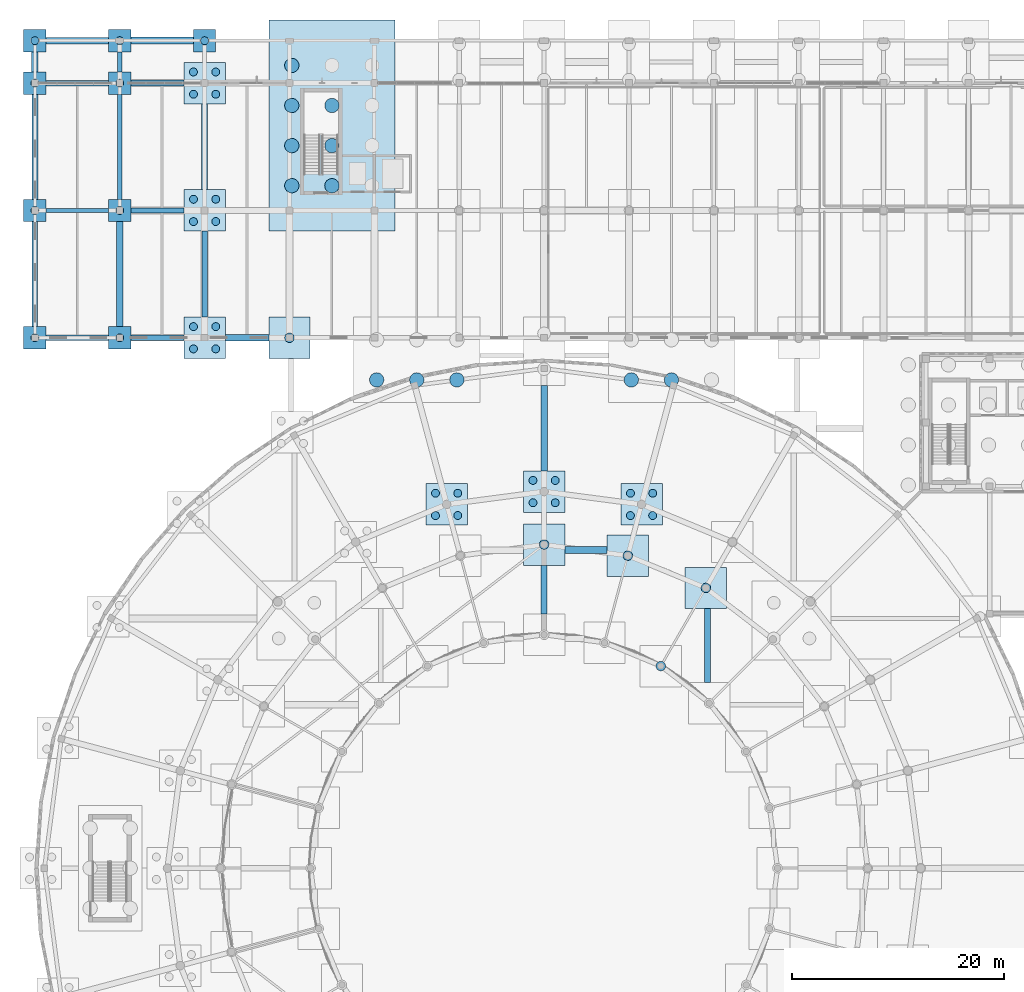
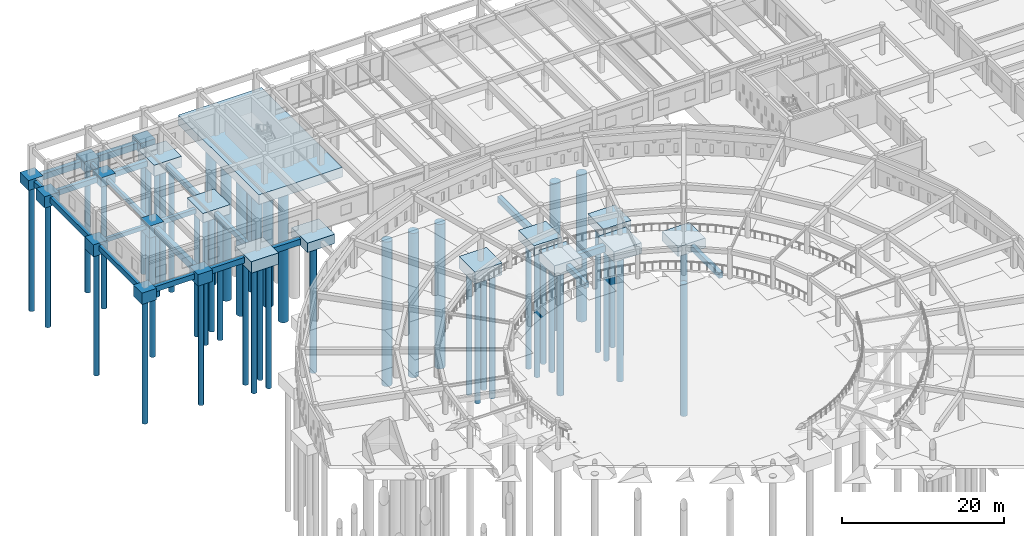
# One storey, part 5 of 84: 50 piles, 41 footings.
"""IFC4 building model written with IfcOpenShell, lengths in metres."""

from ifc_helpers import new_model, si_unit, direction, frame, origin, origin_2d, place, context, subcontext, project, spatial, rectangle, circle, extrude, material, material_profile, profile_set, type_object, element, save


model = new_model("IFC4")

# Units and contexts
model_context = context("Model", 3, precision=1e-05, world=origin(), true_north=direction((0.0, 1.0)))
body_context = subcontext(model_context, "Body", "Model", "MODEL_VIEW")
ifc_project = project(units=[si_unit("LENGTHUNIT", "METRE"), si_unit("AREAUNIT", "SQUARE_METRE"), si_unit("VOLUMEUNIT", "CUBIC_METRE"), si_unit("PLANEANGLEUNIT", "RADIAN"), si_unit("MASSUNIT", "GRAM", prefix="KILO")], contexts=[model_context])

# Site, building, storey
site_placement = place(None, origin())
site = spatial("IfcSite", under=ifc_project, at=site_placement, CompositionType="ELEMENT")
building_placement = place(site_placement, origin())
building = spatial("IfcBuilding", under=site, at=building_placement, Name="Larkveld Mobility Hub", CompositionType="ELEMENT")
storey_placement = place(building_placement, origin())
storey = spatial("IfcBuildingStorey", under=building, at=storey_placement, Name="L00", CompositionType="ELEMENT", Elevation=0.0)

# Footings
ifc_material = material(Name="Concrete C35/45", Category="concrete")
ifc_material_profile_1 = material_profile(ifc_material, rectangle(XDim=0.39990234375, YDim=0.60009765625, at=origin_2d()), Name="RC BM 400x600")
ifc_profile_set_1 = profile_set([ifc_material_profile_1], Name="Concrete C35/45")
footing_type_1 = type_object("IfcFootingType", Name="FT-FB01", PredefinedType="FOOTING_BEAM", material=ifc_profile_set_1)
footing_1_placement = place(storey_placement, frame((1.050048828125, 110.0, -0.64990234375), z_axis=(1.0, 0.0, 0.0), x_axis=(0.0, 1.0, 0.0)))
element("IfcFooting", 1, at=footing_1_placement, inside=storey, type_object=footing_type_1, Name="Ground Tie Beam GB-067", PredefinedType="FOOTING_BEAM", context=body_context, shape_type="SweptSolid", body=[
    extrude(rectangle(XDim=0.39990234375, YDim=0.60009765625, at=origin_2d()), origin(), (0.0, 0.0, 1.0), 5.89990234375),
])
footing_2_placement = place(storey_placement, frame((8.0, 111.050048828125, -0.64990234375), z_axis=(0.0, 1.0, 0.0), x_axis=(-1.0, 0.0, 0.0)))
element("IfcFooting", 2, at=footing_2_placement, inside=storey, type_object=footing_type_1, Name="Ground Tie Beam GB-103", PredefinedType="FOOTING_BEAM", context=body_context, shape_type="SweptSolid", body=[
    extrude(rectangle(XDim=0.39990234375, YDim=0.60009765625, at=origin_2d()), origin(), (0.0, 0.0, 1.0), 9.89990234375),
])
ifc_material_profile_2 = material_profile(ifc_material, rectangle(XDim=0.449951171875, YDim=0.699951171875, at=origin_2d()), Name="RC BM 450x700")
ifc_profile_set_2 = profile_set([ifc_material_profile_2], Name="Concrete C35/45")
footing_type_2 = type_object("IfcFootingType", Name="FT-FB02", PredefinedType="FOOTING_BEAM", material=ifc_profile_set_2)
footing_3_placement = place(storey_placement, frame((9.050048828125, 110.0, -0.699951171875), z_axis=(1.0, 0.0, 0.0), x_axis=(0.0, 1.0, 0.0)))
element("IfcFooting", 3, at=footing_3_placement, inside=storey, type_object=footing_type_2, Name="Ground Tie Beam GB-068", PredefinedType="FOOTING_BEAM", context=body_context, shape_type="SweptSolid", body=[
    extrude(rectangle(XDim=0.449951171875, YDim=0.699951171875, at=origin_2d()), origin(), (0.0, 0.0, 1.0), 5.0),
])
footing_4_placement = place(storey_placement, frame((8.0, 123.050048828125, -0.699951171875), z_axis=(0.0, 1.0, 0.0), x_axis=(-1.0, 0.0, 0.0)))
element("IfcFooting", 4, at=footing_4_placement, inside=storey, type_object=footing_type_2, Name="Ground Tie Beam GB-104", PredefinedType="FOOTING_BEAM", context=body_context, shape_type="SweptSolid", body=[
    extrude(rectangle(XDim=0.449951171875, YDim=0.699951171875, at=origin_2d()), origin(), (0.0, 0.0, 1.0), 1.89990234375),
])
ifc_material_profile_3 = material_profile(ifc_material, rectangle(XDim=0.5, YDim=0.800048828125, at=origin_2d()), Name="RC BM 500x800")
ifc_profile_set_3 = profile_set([ifc_material_profile_3], Name="Concrete C35/45")
footing_type_3 = type_object("IfcFootingType", Name="FT-FB03", PredefinedType="FOOTING_BEAM", material=ifc_profile_set_3)
for number, where, z_axis, x_axis, name in (
    (5, (1.050048828125, 98.0, -0.75), (1.0, 0.0, 0.0), (0.0, 1.0, 0.0), "Ground Tie Beam GB-057"),
    (6, (1.050048828125, 122.0, -0.75), (1.0, 0.0, 0.0), (0.0, 1.0, 0.0), "Ground Tie Beam GB-081"),
):
    element("IfcFooting", number, at=place(storey_placement, frame(where, z_axis=z_axis, x_axis=x_axis)), inside=storey, type_object=footing_type_3, Name=name, PredefinedType="FOOTING_BEAM", context=body_context, shape_type="SweptSolid", body=[
        extrude(rectangle(XDim=0.5, YDim=0.800048828125, at=origin_2d()), origin(), (0.0, 0.0, 1.0), 5.89990234375),
    ])
footing_5_placement = place(storey_placement, frame((0.0, 99.050048828125, -0.75), z_axis=(0.0, 1.0, 0.0), x_axis=(-1.0, 0.0, 0.0)))
element("IfcFooting", 7, at=footing_5_placement, inside=storey, type_object=footing_type_3, Name="Ground Tie Beam GB-099", PredefinedType="FOOTING_BEAM", context=body_context, shape_type="SweptSolid", body=[
    extrude(rectangle(XDim=0.5, YDim=0.800048828125, at=origin_2d()), origin(), (0.0, 0.0, 1.0), 9.89990234375),
])
footing_6_placement = place(storey_placement, frame((16.0, 99.949951171875, -0.75), z_axis=(0.0, 1.0, 0.0), x_axis=(-1.0, 0.0, 0.0)))
element("IfcFooting", 8, at=footing_6_placement, inside=storey, type_object=footing_type_3, Name="Ground Tie Beam GB-105", PredefinedType="FOOTING_BEAM", context=body_context, shape_type="SweptSolid", body=[
    extrude(rectangle(XDim=0.5, YDim=0.800048828125, at=origin_2d()), origin(), (0.0, 0.0, 1.0), 8.10009765625),
])
ifc_material_profile_4 = material_profile(ifc_material, rectangle(XDim=0.550048828125, YDim=0.85009765625, at=origin_2d()), Name="RC BM 550x850")
ifc_profile_set_4 = profile_set([ifc_material_profile_4], Name="Concrete C35/45")
footing_type_4 = type_object("IfcFootingType", Name="FT-FB04", PredefinedType="FOOTING_BEAM", material=ifc_profile_set_4)
for number, where, z_axis, x_axis, name in (
    (9, (9.050048828125, 98.0, -0.77490234375), (1.0, 0.0, 0.0), (0.0, 1.0, 0.0), "Ground Tie Beam GB-058"),
    (10, (9.050048828125, 122.0, -0.77490234375), (1.0, 0.0, 0.0), (0.0, 1.0, 0.0), "Ground Tie Beam GB-082"),
):
    element("IfcFooting", number, at=place(storey_placement, frame(where, z_axis=z_axis, x_axis=x_axis)), inside=storey, type_object=footing_type_4, Name=name, PredefinedType="FOOTING_BEAM", context=body_context, shape_type="SweptSolid", body=[
        extrude(rectangle(XDim=0.550048828125, YDim=0.85009765625, at=origin_2d()), origin(), (0.0, 0.0, 1.0), 5.0),
    ])
footing_7_placement = place(storey_placement, frame((0.0, 111.050048828125, -0.77490234375), z_axis=(0.0, 1.0, 0.0), x_axis=(-1.0, 0.0, 0.0)))
element("IfcFooting", 11, at=footing_7_placement, inside=storey, type_object=footing_type_4, Name="Ground Tie Beam GB-100", PredefinedType="FOOTING_BEAM", context=body_context, shape_type="SweptSolid", body=[
    extrude(rectangle(XDim=0.550048828125, YDim=0.85009765625, at=origin_2d()), origin(), (0.0, 0.0, 1.0), 9.89990234375),
])
footing_8_placement = place(storey_placement, frame((16.0, 111.949951171875, -0.77490234375), z_axis=(0.0, 1.0, 0.0), x_axis=(-1.0, 0.0, 0.0)))
element("IfcFooting", 12, at=footing_8_placement, inside=storey, type_object=footing_type_4, Name="Ground Tie Beam GB-106", PredefinedType="FOOTING_BEAM", context=body_context, shape_type="SweptSolid", body=[
    extrude(rectangle(XDim=0.550048828125, YDim=0.85009765625, at=origin_2d()), origin(), (0.0, 0.0, 1.0), 8.10009765625),
])
footing_9_placement = place(storey_placement, frame((48.0, 71.949951171875, -0.77490234375), z_axis=(0.0, 1.0, 0.0), x_axis=(-1.0, 0.0, 0.0)))
element("IfcFooting", 13, at=footing_9_placement, inside=storey, type_object=footing_type_4, Name="Ground Tie Beam GB-118", PredefinedType="FOOTING_BEAM", context=body_context, shape_type="SweptSolid", body=[
    extrude(rectangle(XDim=0.550048828125, YDim=0.85009765625, at=origin_2d()), origin(), (0.0, 0.0, 1.0), 4.60009765625),
])
footing_10_placement = place(storey_placement, frame((63.403076171875, 65.506103515625, -0.77490234375), z_axis=(0.0, 1.0, 0.0), x_axis=(-1.0, 0.0, 0.0)))
element("IfcFooting", 14, at=footing_10_placement, inside=storey, type_object=footing_type_4, Name="Ground Tie Beam GB-124", PredefinedType="FOOTING_BEAM", context=body_context, shape_type="SweptSolid", body=[
    extrude(rectangle(XDim=0.550048828125, YDim=0.85009765625, at=origin_2d()), origin(), (0.0, 0.0, 1.0), 6.9580078125),
])
ifc_material_profile_5 = material_profile(ifc_material, rectangle(XDim=0.60009765625, YDim=0.89990234375, at=origin_2d()), Name="RC BM 600x900")
ifc_profile_set_5 = profile_set([ifc_material_profile_5], Name="Concrete C35/45")
footing_type_5 = type_object("IfcFootingType", Name="FT-FB05", PredefinedType="FOOTING_BEAM", material=ifc_profile_set_5)
footing_11_placement = place(storey_placement, frame((17.949951171875, 98.0, -0.800048828125), z_axis=(1.0, 0.0, 0.0), x_axis=(0.0, 1.0, 0.0)))
element("IfcFooting", 15, at=footing_11_placement, inside=storey, type_object=footing_type_5, Name="Ground Tie Beam GB-059", PredefinedType="FOOTING_BEAM", context=body_context, shape_type="SweptSolid", body=[
    extrude(rectangle(XDim=0.60009765625, YDim=0.89990234375, at=origin_2d()), origin(), (0.0, 0.0, 1.0), 4.10009765625),
])
footing_12_placement = place(storey_placement, frame((1.050048828125, 126.0, -0.800048828125), z_axis=(1.0, 0.0, 0.0), x_axis=(0.0, 1.0, 0.0)))
element("IfcFooting", 16, at=footing_12_placement, inside=storey, type_object=footing_type_5, Name="Ground Tie Beam GB-089", PredefinedType="FOOTING_BEAM", context=body_context, shape_type="SweptSolid", body=[
    extrude(rectangle(XDim=0.60009765625, YDim=0.89990234375, at=origin_2d()), origin(), (0.0, 0.0, 1.0), 5.89990234375),
])
footing_13_placement = place(storey_placement, frame((0.0, 123.050048828125, -0.800048828125), z_axis=(0.0, 1.0, 0.0), x_axis=(-1.0, 0.0, 0.0)))
element("IfcFooting", 17, at=footing_13_placement, inside=storey, type_object=footing_type_5, Name="Ground Tie Beam GB-101", PredefinedType="FOOTING_BEAM", context=body_context, shape_type="SweptSolid", body=[
    extrude(rectangle(XDim=0.60009765625, YDim=0.89990234375, at=origin_2d()), origin(), (0.0, 0.0, 1.0), 1.89990234375),
])
footing_14_placement = place(storey_placement, frame((48.0, 85.449951171875, -0.800048828125), z_axis=(0.0, 1.0, 0.0), x_axis=(-1.0, 0.0, 0.0)))
element("IfcFooting", 18, at=footing_14_placement, inside=storey, type_object=footing_type_5, Name="Ground Tie Beam GB-119", PredefinedType="FOOTING_BEAM", context=body_context, shape_type="SweptSolid", body=[
    extrude(rectangle(XDim=0.60009765625, YDim=0.89990234375, at=origin_2d()), origin(), (0.0, 0.0, 1.0), 8.050048828125),
])
ifc_material_profile_6 = material_profile(ifc_material, rectangle(XDim=0.64990234375, YDim=1.0, at=origin_2d()), Name="RC BM 650x1000")
ifc_profile_set_6 = profile_set([ifc_material_profile_6], Name="Concrete C35/45")
footing_type_6 = type_object("IfcFootingType", Name="FT-FB06", PredefinedType="FOOTING_BEAM", material=ifc_profile_set_6)
footing_15_placement = place(storey_placement, frame((49.949951171875, 77.98095703125, -0.85009765625), z_axis=(1.0, 0.0, 0.0), x_axis=(0.0, 1.0, 0.0)))
element("IfcFooting", 19, at=footing_15_placement, inside=storey, type_object=footing_type_6, Name="Ground Tie Beam GB-048", PredefinedType="FOOTING_BEAM", context=body_context, shape_type="SweptSolid", body=[
    extrude(rectangle(XDim=0.64990234375, YDim=1.0, at=origin_2d()), origin(), (0.0, 0.0, 1.0), 3.994140625),
])
footing_16_placement = place(storey_placement, frame((9.050048828125, 126.0, -0.85009765625), z_axis=(1.0, 0.0, 0.0), x_axis=(0.0, 1.0, 0.0)))
element("IfcFooting", 20, at=footing_16_placement, inside=storey, type_object=footing_type_6, Name="Ground Tie Beam GB-090", PredefinedType="FOOTING_BEAM", context=body_context, shape_type="SweptSolid", body=[
    extrude(rectangle(XDim=0.64990234375, YDim=1.0, at=origin_2d()), origin(), (0.0, 0.0, 1.0), 5.89990234375),
])
footing_17_placement = place(storey_placement, frame((8.0, 99.050048828125, -0.85009765625), z_axis=(0.0, 1.0, 0.0), x_axis=(-1.0, 0.0, 0.0)))
element("IfcFooting", 21, at=footing_17_placement, inside=storey, type_object=footing_type_6, Name="Ground Tie Beam GB-102", PredefinedType="FOOTING_BEAM", context=body_context, shape_type="SweptSolid", body=[
    extrude(rectangle(XDim=0.64990234375, YDim=1.0, at=origin_2d()), origin(), (0.0, 0.0, 1.0), 9.89990234375),
])
footing_type_7 = type_object("IfcFootingType", Name="FT-PC01", PredefinedType="PILE_CAP", material=ifc_material)
for number, where, z_axis, x_axis, name in (
    (22, (24.0, 98.0, -1.39990234375), (0.0, 0.0, 1.0), (1.0, 0.0, 0.0), "Pile Cap PC-161"),
    (23, (16.0, 110.0, -1.39990234375), (0.0, 0.0, 1.0), (1.0, 0.0, 0.0), "Pile Cap PC-177"),
):
    element("IfcFooting", number, at=place(storey_placement, frame(where, z_axis=z_axis, x_axis=x_axis)), inside=storey, type_object=footing_type_7, Name=name, PredefinedType="PILE_CAP", context=body_context, shape_type="SweptSolid", body=[
        extrude(rectangle(XDim=3.89990234375, YDim=3.89990234375, at=origin_2d()), origin(), (0.0, 0.0, 1.0), 1.39990234375),
    ])
footing_18_placement = place(storey_placement, frame((8.0, 122.0, -1.39990234375), z_axis=(0.0, 0.0, 1.0), x_axis=(1.0, 0.0, 0.0)))
element("IfcFooting", 24, at=footing_18_placement, inside=storey, type_object=footing_type_7, Name="Pile Cap PC-209", PredefinedType="PILE_CAP", context=body_context, shape_type="SweptSolid", body=[
    extrude(rectangle(XDim=2.10009765625, YDim=2.10009765625, at=origin_2d()), origin(), (0.0, 0.0, 1.0), 1.39990234375),
])
footing_type_8 = type_object("IfcFootingType", Name="FT-PC02", PredefinedType="PILE_CAP", material=ifc_material)
footing_19_placement = place(storey_placement, frame((28.0, 118.0, -1.4501953125), z_axis=(0.0, 0.0, 1.0), x_axis=(1.0, 0.0, 0.0)))
element("IfcFooting", 25, at=footing_19_placement, inside=storey, type_object=footing_type_8, Name="Pile Cap PC-178", PredefinedType="PILE_CAP", context=body_context, shape_type="SweptSolid", body=[
    extrude(rectangle(XDim=11.89990234375, YDim=19.89990234375, at=origin_2d()), origin(), (0.0, 0.0, 1.0), 1.449951171875),
])
footing_type_9 = type_object("IfcFootingType", Name="FT-PC03", PredefinedType="PILE_CAP", material=ifc_material)
footing_20_placement = place(storey_placement, frame((0.0, 126.0, -1.5), z_axis=(0.0, 0.0, 1.0), x_axis=(1.0, 0.0, 0.0)))
element("IfcFooting", 26, at=footing_20_placement, inside=storey, type_object=footing_type_9, Name="Pile Cap PC-211", PredefinedType="PILE_CAP", context=body_context, shape_type="SweptSolid", body=[
    extrude(rectangle(XDim=2.10009765625, YDim=2.10009765625, at=origin_2d()), origin(), (0.0, 0.0, 1.0), 1.5),
])
footing_type_10 = type_object("IfcFootingType", Name="FT-PC04", PredefinedType="PILE_CAP", material=ifc_material)
footing_21_placement = place(storey_placement, frame((8.0, 126.0, -1.5498046875), z_axis=(0.0, 0.0, 1.0), x_axis=(1.0, 0.0, 0.0)))
element("IfcFooting", 27, at=footing_21_placement, inside=storey, type_object=footing_type_10, Name="Pile Cap PC-212", PredefinedType="PILE_CAP", context=body_context, shape_type="SweptSolid", body=[
    extrude(rectangle(XDim=2.10009765625, YDim=2.10009765625, at=origin_2d()), origin(), (0.0, 0.0, 1.0), 1.550048828125),
])
footing_type_11 = type_object("IfcFootingType", Name="FT-PC05", PredefinedType="PILE_CAP", material=ifc_material)
footing_22_placement = place(storey_placement, frame((55.89404296875, 77.4609375, -1.60009765625), z_axis=(0.0, 0.0, 1.0), x_axis=(1.0, 0.0, 0.0)))
element("IfcFooting", 28, at=footing_22_placement, inside=storey, type_object=footing_type_11, Name="Pile Cap PC-133", PredefinedType="PILE_CAP", context=body_context, shape_type="SweptSolid", body=[
    extrude(rectangle(XDim=3.89990234375, YDim=3.89990234375, at=origin_2d()), origin(), (0.0, 0.0, 1.0), 1.60009765625),
])
footing_23_placement = place(storey_placement, frame((16.0, 126.0, -1.60009765625), z_axis=(0.0, 0.0, 1.0), x_axis=(1.0, 0.0, 0.0)))
element("IfcFooting", 29, at=footing_23_placement, inside=storey, type_object=footing_type_11, Name="Pile Cap PC-213", PredefinedType="PILE_CAP", context=body_context, shape_type="SweptSolid", body=[
    extrude(rectangle(XDim=2.10009765625, YDim=2.10009765625, at=origin_2d()), origin(), (0.0, 0.0, 1.0), 1.60009765625),
])
footing_type_12 = type_object("IfcFootingType", Name="FT-PC07", PredefinedType="PILE_CAP", material=ifc_material)
for number, where, z_axis, x_axis, name in (
    (30, (48.0, 78.5, -1.64990234375), (0.0, 0.0, 1.0), (1.0, 0.0, 0.0), "Pile Cap PC-135"),
    (31, (16.0, 122.0, -1.64990234375), (0.0, 0.0, 1.0), (1.0, 0.0, 0.0), "Pile Cap PC-199"),
):
    element("IfcFooting", number, at=place(storey_placement, frame(where, z_axis=z_axis, x_axis=x_axis)), inside=storey, type_object=footing_type_12, Name=name, PredefinedType="PILE_CAP", context=body_context, shape_type="SweptSolid", body=[
        extrude(rectangle(XDim=3.89990234375, YDim=3.89990234375, at=origin_2d()), origin(), (0.0, 0.0, 1.0), 1.64990234375),
    ])
footing_type_13 = type_object("IfcFootingType", Name="FT-PC08", PredefinedType="PILE_CAP", material=ifc_material)
footing_24_placement = place(storey_placement, frame((0.0, 98.0, -1.7001953125), z_axis=(0.0, 0.0, 1.0), x_axis=(1.0, 0.0, 0.0)))
element("IfcFooting", 32, at=footing_24_placement, inside=storey, type_object=footing_type_13, Name="Pile Cap PC-168", PredefinedType="PILE_CAP", context=body_context, shape_type="SweptSolid", body=[
    extrude(rectangle(XDim=2.10009765625, YDim=2.10009765625, at=origin_2d()), origin(), (0.0, 0.0, 1.0), 1.699951171875),
])
footing_type_14 = type_object("IfcFootingType", Name="FT-PC09", PredefinedType="PILE_CAP", material=ifc_material)
footing_25_placement = place(storey_placement, frame((8.0, 98.0, -1.75), z_axis=(0.0, 0.0, 1.0), x_axis=(1.0, 0.0, 0.0)))
element("IfcFooting", 33, at=footing_25_placement, inside=storey, type_object=footing_type_14, Name="Pile Cap PC-169", PredefinedType="PILE_CAP", context=body_context, shape_type="SweptSolid", body=[
    extrude(rectangle(XDim=2.10009765625, YDim=2.10009765625, at=origin_2d()), origin(), (0.0, 0.0, 1.0), 1.75),
])
footing_type_15 = type_object("IfcFootingType", Name="FT-PC11", PredefinedType="PILE_CAP", material=ifc_material)
footing_26_placement = place(storey_placement, frame((0.0, 110.0, -1.7998046875), z_axis=(0.0, 0.0, 1.0), x_axis=(1.0, 0.0, 0.0)))
element("IfcFooting", 34, at=footing_26_placement, inside=storey, type_object=footing_type_15, Name="Pile Cap PC-187", PredefinedType="PILE_CAP", context=body_context, shape_type="SweptSolid", body=[
    extrude(rectangle(XDim=2.10009765625, YDim=2.10009765625, at=origin_2d()), origin(), (0.0, 0.0, 1.0), 1.800048828125),
])
footing_type_16 = type_object("IfcFootingType", Name="FT-PC12", PredefinedType="PILE_CAP", material=ifc_material)
footing_27_placement = place(storey_placement, frame((38.81201171875, 82.2900390625, -1.7998046875), z_axis=(0.0, 0.0, 1.0), x_axis=(1.0, 0.0, 0.0)))
element("IfcFooting", 35, at=footing_27_placement, inside=storey, type_object=footing_type_16, Name="Pile Cap PC-140", PredefinedType="PILE_CAP", context=body_context, shape_type="SweptSolid", body=[
    extrude(rectangle(XDim=3.89990234375, YDim=3.89990234375, at=origin_2d()), origin(), (0.0, 0.0, 1.0), 1.800048828125),
])
footing_28_placement = place(storey_placement, frame((8.0, 110.0, -1.7998046875), z_axis=(0.0, 0.0, 1.0), x_axis=(1.0, 0.0, 0.0)))
element("IfcFooting", 36, at=footing_28_placement, inside=storey, type_object=footing_type_16, Name="Pile Cap PC-188", PredefinedType="PILE_CAP", context=body_context, shape_type="SweptSolid", body=[
    extrude(rectangle(XDim=2.10009765625, YDim=2.10009765625, at=origin_2d()), origin(), (0.0, 0.0, 1.0), 1.800048828125),
])
footing_type_17 = type_object("IfcFootingType", Name="FT-PC13", PredefinedType="PILE_CAP", material=ifc_material)
footing_29_placement = place(storey_placement, frame((57.18798828125, 82.2900390625, -1.419921875), z_axis=(0.0, 0.0, 1.0), x_axis=(1.0, 0.0, 0.0)))
element("IfcFooting", 37, at=footing_29_placement, inside=storey, type_object=footing_type_17, Name="Pile Cap PC-141", PredefinedType="PILE_CAP", context=body_context, shape_type="SweptSolid", body=[
    extrude(rectangle(XDim=3.89990234375, YDim=3.89990234375, at=origin_2d()), origin(), (0.0, 0.0, 1.0), 1.419921875),
])
footing_type_18 = type_object("IfcFootingType", Name="FT-PC14", PredefinedType="PILE_CAP", material=ifc_material)
for number, where, z_axis, x_axis, name in (
    (38, (63.25, 74.4140625, -1.47998046875), (0.0, 0.0, 1.0), (1.0, 0.0, 0.0), "Pile Cap PC-126"),
    (39, (48.0, 83.5, -1.47998046875), (0.0, 0.0, 1.0), (1.0, 0.0, 0.0), "Pile Cap PC-142"),
):
    element("IfcFooting", number, at=place(storey_placement, frame(where, z_axis=z_axis, x_axis=x_axis)), inside=storey, type_object=footing_type_18, Name=name, PredefinedType="PILE_CAP", context=body_context, shape_type="SweptSolid", body=[
        extrude(rectangle(XDim=3.89990234375, YDim=3.89990234375, at=origin_2d()), origin(), (0.0, 0.0, 1.0), 1.47998046875),
    ])
footing_type_19 = type_object("IfcFootingType", Name="FT-PC16", PredefinedType="PILE_CAP", material=ifc_material)
footing_30_placement = place(storey_placement, frame((16.0, 98.0, -1.72021484375), z_axis=(0.0, 0.0, 1.0), x_axis=(1.0, 0.0, 0.0)))
element("IfcFooting", 40, at=footing_30_placement, inside=storey, type_object=footing_type_19, Name="Pile Cap PC-160", PredefinedType="PILE_CAP", context=body_context, shape_type="SweptSolid", body=[
    extrude(rectangle(XDim=3.89990234375, YDim=3.89990234375, at=origin_2d()), origin(), (0.0, 0.0, 1.0), 1.719970703125),
])
footing_31_placement = place(storey_placement, frame((0.0, 122.0, -1.72021484375), z_axis=(0.0, 0.0, 1.0), x_axis=(1.0, 0.0, 0.0)))
element("IfcFooting", 41, at=footing_31_placement, inside=storey, type_object=footing_type_19, Name="Pile Cap PC-208", PredefinedType="PILE_CAP", context=body_context, shape_type="SweptSolid", body=[
    extrude(rectangle(XDim=2.10009765625, YDim=2.10009765625, at=origin_2d()), origin(), (0.0, 0.0, 1.0), 1.719970703125),
])

# Piles
ifc_material_profile_7 = material_profile(ifc_material, circle(Radius=0.375, at=origin_2d()), Name="PILE D750")
ifc_profile_set_7 = profile_set([ifc_material_profile_7], Name="Concrete C35/45")
pile_type_1 = type_object("IfcPileType", Name="PL-B0750", PredefinedType="BORED", material=ifc_profile_set_7)
for number, where, z_axis, x_axis, name in (
    (42, (37.761962890625, 81.239990234375, -1.699951171875), (0.0, 0.0, -1.0), (1.0, 0.0, 0.0), "Bored Pile P-0406"),
    (43, (37.761962890625, 83.340087890625, -1.699951171875), (0.0, 0.0, -1.0), (1.0, 0.0, 0.0), "Bored Pile P-0407"),
    (44, (39.862060546875, 81.239990234375, -1.699951171875), (0.0, 0.0, -1.0), (1.0, 0.0, 0.0), "Bored Pile P-0408"),
    (45, (39.862060546875, 83.340087890625, -1.699951171875), (0.0, 0.0, -1.0), (1.0, 0.0, 0.0), "Bored Pile P-0409"),
):
    element("IfcPile", number, at=place(storey_placement, frame(where, z_axis=z_axis, x_axis=x_axis)), inside=storey, type_object=pile_type_1, Name=name, PredefinedType="BORED", context=body_context, shape_type="SweptSolid", body=[
        extrude(circle(Radius=0.375, at=origin_2d()), origin(), (0.0, 0.0, 1.0), 18.800048828125),
    ])
for number, where, z_axis, x_axis, name in (
    (46, (56.137939453125, 81.239990234375, -1.320068359375), (0.0, 0.0, -1.0), (1.0, 0.0, 0.0), "Bored Pile P-0410"),
    (47, (56.137939453125, 83.340087890625, -1.320068359375), (0.0, 0.0, -1.0), (1.0, 0.0, 0.0), "Bored Pile P-0411"),
    (48, (58.238037109375, 81.239990234375, -1.320068359375), (0.0, 0.0, -1.0), (1.0, 0.0, 0.0), "Bored Pile P-0412"),
    (49, (58.238037109375, 83.340087890625, -1.320068359375), (0.0, 0.0, -1.0), (1.0, 0.0, 0.0), "Bored Pile P-0413"),
):
    element("IfcPile", number, at=place(storey_placement, frame(where, z_axis=z_axis, x_axis=x_axis)), inside=storey, type_object=pile_type_1, Name=name, PredefinedType="BORED", context=body_context, shape_type="SweptSolid", body=[
        extrude(circle(Radius=0.375, at=origin_2d()), origin(), (0.0, 0.0, 1.0), 19.179931640625),
    ])
for number, where, z_axis, x_axis, name in (
    (50, (46.949951171875, 82.449951171875, -1.3798828125), (0.0, 0.0, -1.0), (1.0, 0.0, 0.0), "Bored Pile P-0414"),
    (51, (46.949951171875, 84.550048828125, -1.3798828125), (0.0, 0.0, -1.0), (1.0, 0.0, 0.0), "Bored Pile P-0415"),
    (52, (49.050048828125, 82.449951171875, -1.3798828125), (0.0, 0.0, -1.0), (1.0, 0.0, 0.0), "Bored Pile P-0416"),
    (53, (49.050048828125, 84.550048828125, -1.3798828125), (0.0, 0.0, -1.0), (1.0, 0.0, 0.0), "Bored Pile P-0417"),
):
    element("IfcPile", number, at=place(storey_placement, frame(where, z_axis=z_axis, x_axis=x_axis)), inside=storey, type_object=pile_type_1, Name=name, PredefinedType="BORED", context=body_context, shape_type="SweptSolid", body=[
        extrude(circle(Radius=0.375, at=origin_2d()), origin(), (0.0, 0.0, 1.0), 19.1201171875),
    ])
for number, where, z_axis, x_axis, name in (
    (54, (14.949951171875, 96.949951171875, -1.6201171875), (0.0, 0.0, -1.0), (1.0, 0.0, 0.0), "Bored Pile P-0465"),
    (55, (14.949951171875, 99.050048828125, -1.6201171875), (0.0, 0.0, -1.0), (1.0, 0.0, 0.0), "Bored Pile P-0466"),
    (56, (17.050048828125, 96.949951171875, -1.6201171875), (0.0, 0.0, -1.0), (1.0, 0.0, 0.0), "Bored Pile P-0467"),
    (57, (17.050048828125, 99.050048828125, -1.6201171875), (0.0, 0.0, -1.0), (1.0, 0.0, 0.0), "Bored Pile P-0468"),
):
    element("IfcPile", number, at=place(storey_placement, frame(where, z_axis=z_axis, x_axis=x_axis)), inside=storey, type_object=pile_type_1, Name=name, PredefinedType="BORED", context=body_context, shape_type="SweptSolid", body=[
        extrude(circle(Radius=0.375, at=origin_2d()), origin(), (0.0, 0.0, 1.0), 18.8798828125),
    ])
pile_1_placement = place(storey_placement, frame((0.0, 98.0, -1.60009765625), z_axis=(0.0, 0.0, -1.0), x_axis=(1.0, 0.0, 0.0)))
element("IfcPile", 58, at=pile_1_placement, inside=storey, type_object=pile_type_1, Name="Bored Pile P-0479", PredefinedType="BORED", context=body_context, shape_type="SweptSolid", body=[
    extrude(circle(Radius=0.375, at=origin_2d()), origin(), (0.0, 0.0, 1.0), 18.89990234375),
])
pile_2_placement = place(storey_placement, frame((8.0, 98.0, -1.64990234375), z_axis=(0.0, 0.0, -1.0), x_axis=(1.0, 0.0, 0.0)))
element("IfcPile", 59, at=pile_2_placement, inside=storey, type_object=pile_type_1, Name="Bored Pile P-0480", PredefinedType="BORED", context=body_context, shape_type="SweptSolid", body=[
    extrude(circle(Radius=0.375, at=origin_2d()), origin(), (0.0, 0.0, 1.0), 18.85009765625),
])
for number, where, z_axis, x_axis, name in (
    (60, (14.949951171875, 108.949951171875, -1.300048828125), (0.0, 0.0, -1.0), (1.0, 0.0, 0.0), "Bored Pile P-0503"),
    (61, (14.949951171875, 111.050048828125, -1.300048828125), (0.0, 0.0, -1.0), (1.0, 0.0, 0.0), "Bored Pile P-0504"),
    (62, (17.050048828125, 108.949951171875, -1.300048828125), (0.0, 0.0, -1.0), (1.0, 0.0, 0.0), "Bored Pile P-0505"),
    (63, (17.050048828125, 111.050048828125, -1.300048828125), (0.0, 0.0, -1.0), (1.0, 0.0, 0.0), "Bored Pile P-0506"),
):
    element("IfcPile", number, at=place(storey_placement, frame(where, z_axis=z_axis, x_axis=x_axis)), inside=storey, type_object=pile_type_1, Name=name, PredefinedType="BORED", context=body_context, shape_type="SweptSolid", body=[
        extrude(circle(Radius=0.375, at=origin_2d()), origin(), (0.0, 0.0, 1.0), 19.199951171875),
    ])
for number, where, z_axis, x_axis, name in (
    (64, (0.0, 110.0, -1.699951171875), (0.0, 0.0, -1.0), (1.0, 0.0, 0.0), "Bored Pile P-0530"),
    (65, (8.0, 110.0, -1.699951171875), (0.0, 0.0, -1.0), (1.0, 0.0, 0.0), "Bored Pile P-0531"),
):
    element("IfcPile", number, at=place(storey_placement, frame(where, z_axis=z_axis, x_axis=x_axis)), inside=storey, type_object=pile_type_1, Name=name, PredefinedType="BORED", context=body_context, shape_type="SweptSolid", body=[
        extrude(circle(Radius=0.375, at=origin_2d()), origin(), (0.0, 0.0, 1.0), 18.800048828125),
    ])
for number, where, z_axis, x_axis, name in (
    (66, (14.949951171875, 120.949951171875, -1.550048828125), (0.0, 0.0, -1.0), (1.0, 0.0, 0.0), "Bored Pile P-0554"),
    (67, (14.949951171875, 123.050048828125, -1.550048828125), (0.0, 0.0, -1.0), (1.0, 0.0, 0.0), "Bored Pile P-0555"),
    (68, (17.050048828125, 120.949951171875, -1.550048828125), (0.0, 0.0, -1.0), (1.0, 0.0, 0.0), "Bored Pile P-0556"),
    (69, (17.050048828125, 123.050048828125, -1.550048828125), (0.0, 0.0, -1.0), (1.0, 0.0, 0.0), "Bored Pile P-0557"),
):
    element("IfcPile", number, at=place(storey_placement, frame(where, z_axis=z_axis, x_axis=x_axis)), inside=storey, type_object=pile_type_1, Name=name, PredefinedType="BORED", context=body_context, shape_type="SweptSolid", body=[
        extrude(circle(Radius=0.375, at=origin_2d()), origin(), (0.0, 0.0, 1.0), 18.949951171875),
    ])
pile_3_placement = place(storey_placement, frame((0.0, 122.0, -1.6201171875), z_axis=(0.0, 0.0, -1.0), x_axis=(1.0, 0.0, 0.0)))
element("IfcPile", 70, at=pile_3_placement, inside=storey, type_object=pile_type_1, Name="Bored Pile P-0576", PredefinedType="BORED", context=body_context, shape_type="SweptSolid", body=[
    extrude(circle(Radius=0.375, at=origin_2d()), origin(), (0.0, 0.0, 1.0), 18.8798828125),
])
pile_4_placement = place(storey_placement, frame((8.0, 122.0, -1.300048828125), z_axis=(0.0, 0.0, -1.0), x_axis=(1.0, 0.0, 0.0)))
element("IfcPile", 71, at=pile_4_placement, inside=storey, type_object=pile_type_1, Name="Bored Pile P-0577", PredefinedType="BORED", context=body_context, shape_type="SweptSolid", body=[
    extrude(circle(Radius=0.375, at=origin_2d()), origin(), (0.0, 0.0, 1.0), 19.199951171875),
])
pile_5_placement = place(storey_placement, frame((0.0, 126.0, -1.39990234375), z_axis=(0.0, 0.0, -1.0), x_axis=(1.0, 0.0, 0.0)))
element("IfcPile", 72, at=pile_5_placement, inside=storey, type_object=pile_type_1, Name="Bored Pile P-0579", PredefinedType="BORED", context=body_context, shape_type="SweptSolid", body=[
    extrude(circle(Radius=0.375, at=origin_2d()), origin(), (0.0, 0.0, 1.0), 19.10009765625),
])
pile_6_placement = place(storey_placement, frame((8.0, 126.0, -1.449951171875), z_axis=(0.0, 0.0, -1.0), x_axis=(1.0, 0.0, 0.0)))
element("IfcPile", 73, at=pile_6_placement, inside=storey, type_object=pile_type_1, Name="Bored Pile P-0580", PredefinedType="BORED", context=body_context, shape_type="SweptSolid", body=[
    extrude(circle(Radius=0.375, at=origin_2d()), origin(), (0.0, 0.0, 1.0), 19.050048828125),
])
pile_7_placement = place(storey_placement, frame((16.0, 126.0, -1.5), z_axis=(0.0, 0.0, -1.0), x_axis=(1.0, 0.0, 0.0)))
element("IfcPile", 74, at=pile_7_placement, inside=storey, type_object=pile_type_1, Name="Bored Pile P-0581", PredefinedType="BORED", context=body_context, shape_type="SweptSolid", body=[
    extrude(circle(Radius=0.375, at=origin_2d()), origin(), (0.0, 0.0, 1.0), 19.0),
])
ifc_material_profile_8 = material_profile(ifc_material, circle(Radius=0.449951171875, at=origin_2d()), Name="PILE D900")
ifc_profile_set_8 = profile_set([ifc_material_profile_8], Name="Concrete C35/45")
pile_type_2 = type_object("IfcPileType", Name="PL-B0900", PredefinedType="BORED", material=ifc_profile_set_8)
pile_8_placement = place(storey_placement, frame((59.0, 67.052978515625, -1.300048828125), z_axis=(0.0, 0.0, -1.0), x_axis=(1.0, 0.0, 0.0)))
element("IfcPile", 75, at=pile_8_placement, inside=storey, type_object=pile_type_2, Name="Bored Pile P-0325", PredefinedType="BORED", context=body_context, shape_type="SweptSolid", body=[
    extrude(circle(Radius=0.449951171875, at=origin_2d()), origin(), (0.0, 0.0, 1.0), 19.89990234375),
])
pile_9_placement = place(storey_placement, frame((63.25, 74.4140625, -1.3798828125), z_axis=(0.0, 0.0, -1.0), x_axis=(1.0, 0.0, 0.0)))
element("IfcPile", 76, at=pile_9_placement, inside=storey, type_object=pile_type_2, Name="Bored Pile P-0356", PredefinedType="BORED", context=body_context, shape_type="SweptSolid", body=[
    extrude(circle(Radius=0.449951171875, at=origin_2d()), origin(), (0.0, 0.0, 1.0), 19.820068359375),
])
pile_10_placement = place(storey_placement, frame((55.89404296875, 77.4609375, -1.5), z_axis=(0.0, 0.0, -1.0), x_axis=(1.0, 0.0, 0.0)))
element("IfcPile", 77, at=pile_10_placement, inside=storey, type_object=pile_type_2, Name="Bored Pile P-0378", PredefinedType="BORED", context=body_context, shape_type="SweptSolid", body=[
    extrude(circle(Radius=0.449951171875, at=origin_2d()), origin(), (0.0, 0.0, 1.0), 19.699951171875),
])
pile_11_placement = place(storey_placement, frame((48.0, 78.5, -1.550048828125), z_axis=(0.0, 0.0, -1.0), x_axis=(1.0, 0.0, 0.0)))
element("IfcPile", 78, at=pile_11_placement, inside=storey, type_object=pile_type_2, Name="Bored Pile P-0380", PredefinedType="BORED", context=body_context, shape_type="SweptSolid", body=[
    extrude(circle(Radius=0.449951171875, at=origin_2d()), origin(), (0.0, 0.0, 1.0), 19.64990234375),
])
pile_12_placement = place(storey_placement, frame((24.0, 98.0, -1.300048828125), z_axis=(0.0, 0.0, -1.0), x_axis=(1.0, 0.0, 0.0)))
element("IfcPile", 79, at=pile_12_placement, inside=storey, type_object=pile_type_2, Name="Bored Pile P-0469", PredefinedType="BORED", context=body_context, shape_type="SweptSolid", body=[
    extrude(circle(Radius=0.449951171875, at=origin_2d()), origin(), (0.0, 0.0, 1.0), 19.89990234375),
])
ifc_material_profile_9 = material_profile(ifc_material, circle(Radius=0.675048828125, at=origin_2d()), Name="PILE D1350")
ifc_profile_set_9 = profile_set([ifc_material_profile_9], Name="Concrete C35/45")
pile_type_3 = type_object("IfcPileType", Name="PL-B1350", PredefinedType="BORED", material=ifc_profile_set_9)
for number, where, z_axis, x_axis, name in (
    (80, (32.219970703125, 94.02587890625, -1.699951171875), (0.0, 0.0, -1.0), (1.0, 0.0, 0.0), "Bored Pile P-0450"),
    (81, (36.0, 94.02587890625, -1.699951171875), (0.0, 0.0, -1.0), (1.0, 0.0, 0.0), "Bored Pile P-0452"),
    (82, (39.780029296875, 94.02587890625, -1.699951171875), (0.0, 0.0, -1.0), (1.0, 0.0, 0.0), "Bored Pile P-0454"),
):
    element("IfcPile", number, at=place(storey_placement, frame(where, z_axis=z_axis, x_axis=x_axis)), inside=storey, type_object=pile_type_3, Name=name, PredefinedType="BORED", context=body_context, shape_type="SweptSolid", body=[
        extrude(circle(Radius=0.675048828125, at=origin_2d()), origin(), (0.0, 0.0, 1.0), 21.800048828125),
    ])
for number, where, z_axis, x_axis, name in (
    (83, (56.219970703125, 94.02587890625, -1.320068359375), (0.0, 0.0, -1.0), (1.0, 0.0, 0.0), "Bored Pile P-0456"),
    (84, (60.0, 94.02587890625, -1.320068359375), (0.0, 0.0, -1.0), (1.0, 0.0, 0.0), "Bored Pile P-0458"),
):
    element("IfcPile", number, at=place(storey_placement, frame(where, z_axis=z_axis, x_axis=x_axis)), inside=storey, type_object=pile_type_3, Name=name, PredefinedType="BORED", context=body_context, shape_type="SweptSolid", body=[
        extrude(circle(Radius=0.675048828125, at=origin_2d()), origin(), (0.0, 0.0, 1.0), 22.179931640625),
    ])
for number, where, z_axis, x_axis, name in (
    (85, (24.219970703125, 112.330078125, -1.35009765625), (0.0, 0.0, -1.0), (1.0, 0.0, 0.0), "Bored Pile P-0507"),
    (86, (24.219970703125, 116.110107421875, -1.35009765625), (0.0, 0.0, -1.0), (1.0, 0.0, 0.0), "Bored Pile P-0508"),
    (87, (24.219970703125, 119.889892578125, -1.35009765625), (0.0, 0.0, -1.0), (1.0, 0.0, 0.0), "Bored Pile P-0509"),
    (88, (24.219970703125, 123.669921875, -1.35009765625), (0.0, 0.0, -1.0), (1.0, 0.0, 0.0), "Bored Pile P-0510"),
    (89, (28.0, 112.330078125, -1.35009765625), (0.0, 0.0, -1.0), (1.0, 0.0, 0.0), "Bored Pile P-0511"),
    (90, (28.0, 116.110107421875, -1.35009765625), (0.0, 0.0, -1.0), (1.0, 0.0, 0.0), "Bored Pile P-0512"),
    (91, (28.0, 119.889892578125, -1.35009765625), (0.0, 0.0, -1.0), (1.0, 0.0, 0.0), "Bored Pile P-0513"),
):
    element("IfcPile", number, at=place(storey_placement, frame(where, z_axis=z_axis, x_axis=x_axis)), inside=storey, type_object=pile_type_3, Name=name, PredefinedType="BORED", context=body_context, shape_type="SweptSolid", body=[
        extrude(circle(Radius=0.675048828125, at=origin_2d()), origin(), (0.0, 0.0, 1.0), 22.14990234375),
    ])

save(model, "model.ifc")
